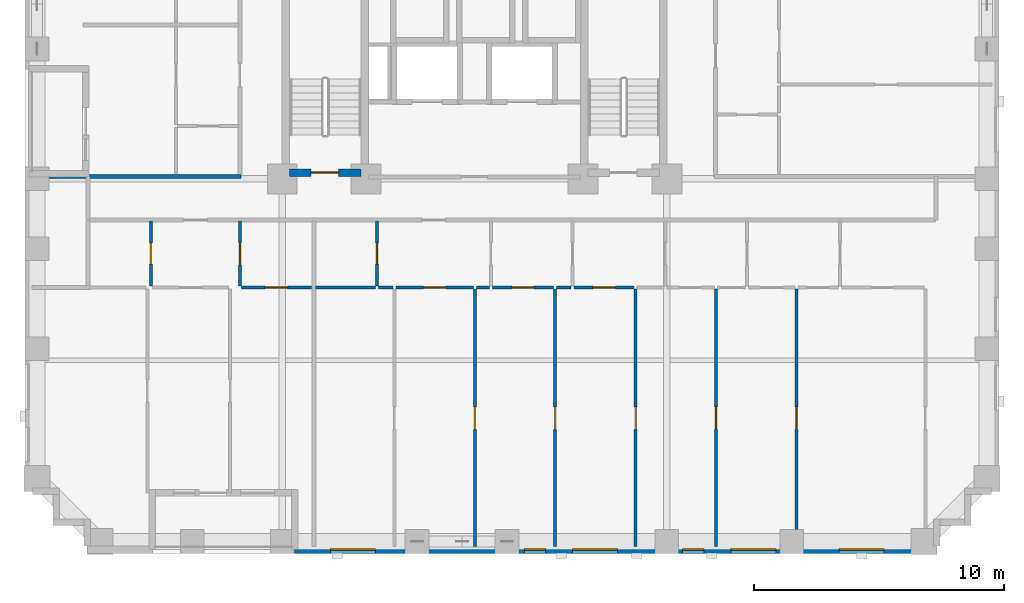
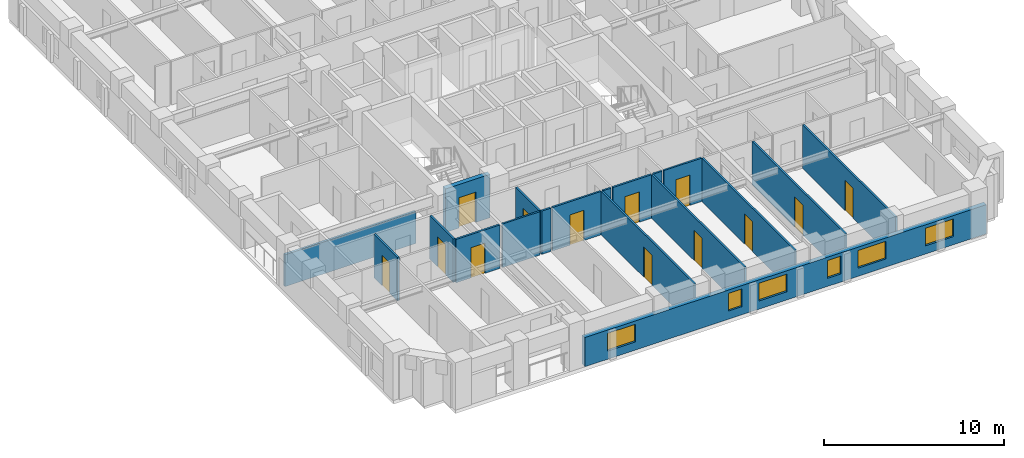
# One storey, part 3 of 14: 19 walls, 13 doors, 6 windows, 19 openings.
"""IFC4 building model written with IfcOpenShell, lengths in metres."""

from ifc_helpers import new_model, si_unit, derived_unit, direction, frame, frame_2d, origin, place, context, subcontext, project, spatial, rectangle, extrude, material, layer, layer_set, type_object, element, fill, save


model = new_model("IFC4")

# Units and contexts
model_context = context("Model", 3, precision=1e-05, world=origin(), true_north=direction((0.0, 1.0)))
body_context = subcontext(model_context, "Body", "Model", "MODEL_VIEW")
ifc_project = project(units=[si_unit("LENGTHUNIT", "METRE"), si_unit("AREAUNIT", "SQUARE_METRE"), si_unit("VOLUMEUNIT", "CUBIC_METRE"), si_unit("PLANEANGLEUNIT", "RADIAN"), si_unit("MASSUNIT", "GRAM", prefix="KILO"), derived_unit("THERMALTRANSMITTANCEUNIT", [(si_unit("MASSUNIT", "GRAM", prefix="KILO"), 1), (si_unit("TIMEUNIT", "SECOND"), -3), (si_unit("THERMODYNAMICTEMPERATUREUNIT", "KELVIN"), -1)])], contexts=[model_context])

# Site, building, storey
site_placement = place(None, origin())
site = spatial("IfcSite", under=ifc_project, at=site_placement, CompositionType="ELEMENT")
building_placement = place(site_placement, origin())
building = spatial("IfcBuilding", under=site, at=building_placement, Name="Korrvale Station Residences", CompositionType="ELEMENT")
storey_placement = place(building_placement, frame((0.0, 0.0, 45.0)))
storey = spatial("IfcBuildingStorey", under=building, at=storey_placement, Name="L11", CompositionType="ELEMENT", Elevation=45.0)

# Wall, opening, door
ifc_material_1 = material(Name="Concrete C70/85", Category="concrete")
ifc_layer_1 = layer(ifc_material_1, 0.300048828125, Name="Concrete C70/85")
ifc_layer_set_1 = layer_set([ifc_layer_1], Name="Concrete C70/85")
wall_type_1 = type_object("IfcWallType", Name="WAL-CORE-300-C70", PredefinedType="SHEAR", material=ifc_layer_set_1)
wall_1_placement = place(storey_placement, frame((18.10009765625, 15.25, 0.0), z_axis=(0.0, 0.0, 1.0), x_axis=(1.0, 0.0, 0.0)))
wall_1 = element("IfcWall", 1, at=wall_1_placement, inside=storey, type_object=wall_type_1, Name="L11 ST-1 Core Shear Wall South", PredefinedType="SHEAR", context=body_context, shape_type="SweptSolid", body=[
    extrude(rectangle(XDim=2.849853515625, YDim=0.300048828125, at=frame_2d((1.4248046875, 0.0))), origin(), (0.0, 0.0, 1.0), 2.93994140625),
])
opening_1_placement = place(wall_1_placement, frame((0.860107421875, 0.0, 0.0)))
opening_1 = element("IfcOpeningElement", 2, at=opening_1_placement, cuts=wall_1, Name="Opening SD-1100", PredefinedType="OPENING", context=body_context, shape_type="SweptSolid", body=[
    extrude(rectangle(XDim=1.10009765625, YDim=2.050048828125, at=frame_2d((0.550048828125, 1.02490234375))), frame((0.0, 0.16015625, 0.0), z_axis=(0.0, -1.0, 0.0), x_axis=(1.0, 0.0, 0.0)), (0.0, 0.0, 1.0), 0.320068359375),
])
ifc_material_2 = material(Name="Hollow-metal fire-rated stair door with closer", Category="steel")
door_type_1 = type_object("IfcDoorType", Name="DR-STAIR-1100", OperationType="NOTDEFINED", PredefinedType="DOOR", material=ifc_material_2)
door_1_placement = place(opening_1_placement, origin())
door_1 = element("IfcDoor", 3, at=door_1_placement, inside=storey, type_object=door_type_1, Name="L11 ST-1 Exit Stair Door", OperationType="SINGLE_SWING_LEFT", OverallHeight=2.050048828125, OverallWidth=1.10009765625, PredefinedType="DOOR", context=body_context, shape_type="SweptSolid", body=[
    extrude(rectangle(XDim=1.10009765625, YDim=2.050048828125, at=frame_2d((0.550048828125, 1.02490234375))), frame((0.0, 0.02490234375, 0.0), z_axis=(0.0, -1.0, 0.0), x_axis=(1.0, 0.0, 0.0)), (0.0, 0.0, 1.0), 0.050048828125),
])
fill(opening_1, door_1)

# Wall, openings, windows
ifc_material_3 = material(Name="Precast concrete C45/55", Category="concrete")
ifc_layer_2 = layer(ifc_material_3, 0.300048828125, Name="Precast concrete C45/55")
ifc_layer_set_2 = layer_set([ifc_layer_2], Name="Precast concrete C45/55")
wall_type_2 = type_object("IfcWallType", Name="WAL-EXT-PC300", PredefinedType="SOLIDWALL", material=ifc_layer_set_2)
wall_2_placement = place(storey_placement, frame((44.0, 0.14990234375, 0.0), z_axis=(0.0, 0.0, 1.0), x_axis=(-1.0, 0.0, 0.0)))
wall_2 = element("IfcWall", 4, at=wall_2_placement, inside=storey, type_object=wall_type_2, Name="L11 South Exterior Precast Wall 1", PredefinedType="SOLIDWALL", context=body_context, shape_type="SweptSolid", body=[
    extrude(rectangle(XDim=25.699951171875, YDim=0.300048828125, at=frame_2d((12.85009765625, 0.0))), origin(), (0.0, 0.0, 1.0), 1.97509765625),
])
opening_2_placement = place(wall_2_placement, frame((22.470947265625, 0.0, 0.550048828125)))
opening_2 = element("IfcOpeningElement", 5, at=opening_2_placement, cuts=wall_2, Name="Opening W-09", PredefinedType="OPENING", context=body_context, shape_type="SweptSolid", body=[
    extrude(rectangle(XDim=1.800048828125, YDim=1.199951171875, at=frame_2d((0.89990234375, 0.60009765625))), frame((0.0, 0.16015625, 0.0), z_axis=(0.0, -1.0, 0.0), x_axis=(1.0, 0.0, 0.0)), (0.0, 0.0, 1.0), 0.320068359375),
])
opening_3_placement = place(wall_2_placement, frame((15.64990234375, 0.0, 0.550048828125)))
opening_3 = element("IfcOpeningElement", 6, at=opening_3_placement, cuts=wall_2, Name="Opening W-11", PredefinedType="OPENING", context=body_context, shape_type="SweptSolid", body=[
    extrude(rectangle(XDim=0.85009765625, YDim=1.199951171875, at=frame_2d((0.425048828125, 0.60009765625))), frame((0.0, 0.16015625, 0.0), z_axis=(0.0, -1.0, 0.0), x_axis=(1.0, 0.0, 0.0)), (0.0, 0.0, 1.0), 0.320068359375),
])
opening_4_placement = place(wall_2_placement, frame((12.777099609375, 0.0, 0.550048828125)))
opening_4 = element("IfcOpeningElement", 7, at=opening_4_placement, cuts=wall_2, Name="Opening W-09", PredefinedType="OPENING", context=body_context, shape_type="SweptSolid", body=[
    extrude(rectangle(XDim=1.800048828125, YDim=1.199951171875, at=frame_2d((0.89990234375, 0.60009765625))), frame((0.0, 0.16015625, 0.0), z_axis=(0.0, -1.0, 0.0), x_axis=(1.0, 0.0, 0.0)), (0.0, 0.0, 1.0), 0.320068359375),
])
opening_5_placement = place(wall_2_placement, frame((9.31494140625, 0.0, 0.550048828125)))
opening_5 = element("IfcOpeningElement", 8, at=opening_5_placement, cuts=wall_2, Name="Opening W-11", PredefinedType="OPENING", context=body_context, shape_type="SweptSolid", body=[
    extrude(rectangle(XDim=0.85009765625, YDim=1.199951171875, at=frame_2d((0.425048828125, 0.60009765625))), frame((0.0, 0.16015625, 0.0), z_axis=(0.0, -1.0, 0.0), x_axis=(1.0, 0.0, 0.0)), (0.0, 0.0, 1.0), 0.320068359375),
])
opening_6_placement = place(wall_2_placement, frame((6.43505859375, 0.0, 0.550048828125)))
opening_6 = element("IfcOpeningElement", 9, at=opening_6_placement, cuts=wall_2, Name="Opening W-09", PredefinedType="OPENING", context=body_context, shape_type="SweptSolid", body=[
    extrude(rectangle(XDim=1.800048828125, YDim=1.199951171875, at=frame_2d((0.89990234375, 0.60009765625))), frame((0.0, 0.16015625, 0.0), z_axis=(0.0, -1.0, 0.0), x_axis=(1.0, 0.0, 0.0)), (0.0, 0.0, 1.0), 0.320068359375),
])
opening_7_placement = place(wall_2_placement, frame((2.10595703125, 0.0, 0.550048828125)))
opening_7 = element("IfcOpeningElement", 10, at=opening_7_placement, cuts=wall_2, Name="Opening W-09", PredefinedType="OPENING", context=body_context, shape_type="SweptSolid", body=[
    extrude(rectangle(XDim=1.800048828125, YDim=1.199951171875, at=frame_2d((0.89990234375, 0.60009765625))), frame((0.0, 0.16015625, 0.0), z_axis=(0.0, -1.0, 0.0), x_axis=(1.0, 0.0, 0.0)), (0.0, 0.0, 1.0), 0.320068359375),
])
ifc_material_4 = material(Name="Thermally broken aluminium frame with triple low-e glazing", Category="aluminium")
window_type_1 = type_object("IfcWindowType", Name="WIN-W09", PartitioningType="DOUBLE_PANEL_VERTICAL", PredefinedType="WINDOW", material=ifc_material_4)
window_1_placement = place(opening_2_placement, origin())
window_1 = element("IfcWindow", 11, at=window_1_placement, inside=storey, type_object=window_type_1, Name="L11 Punched Window 05", OverallHeight=1.199951171875, OverallWidth=1.800048828125, PartitioningType="DOUBLE_PANEL_VERTICAL", PredefinedType="WINDOW", context=body_context, shape_type="SweptSolid", body=[
    extrude(rectangle(XDim=1.800048828125, YDim=1.199951171875, at=frame_2d((0.89990234375, 0.60009765625))), frame((0.0, 0.030029296875, 0.0), z_axis=(0.0, -1.0, 0.0), x_axis=(1.0, 0.0, 0.0)), (0.0, 0.0, 1.0), 0.06005859375),
])
fill(opening_2, window_1)
window_2_placement = place(opening_4_placement, origin())
window_2 = element("IfcWindow", 12, at=window_2_placement, inside=storey, type_object=window_type_1, Name="L11 Punched Window 07", OverallHeight=1.199951171875, OverallWidth=1.800048828125, PartitioningType="DOUBLE_PANEL_VERTICAL", PredefinedType="WINDOW", context=body_context, shape_type="SweptSolid", body=[
    extrude(rectangle(XDim=1.800048828125, YDim=1.199951171875, at=frame_2d((0.89990234375, 0.60009765625))), frame((0.0, 0.030029296875, 0.0), z_axis=(0.0, -1.0, 0.0), x_axis=(1.0, 0.0, 0.0)), (0.0, 0.0, 1.0), 0.06005859375),
])
fill(opening_4, window_2)
window_3_placement = place(opening_6_placement, origin())
window_3 = element("IfcWindow", 13, at=window_3_placement, inside=storey, type_object=window_type_1, Name="L11 Punched Window 09", OverallHeight=1.199951171875, OverallWidth=1.800048828125, PartitioningType="DOUBLE_PANEL_VERTICAL", PredefinedType="WINDOW", context=body_context, shape_type="SweptSolid", body=[
    extrude(rectangle(XDim=1.800048828125, YDim=1.199951171875, at=frame_2d((0.89990234375, 0.60009765625))), frame((0.0, 0.030029296875, 0.0), z_axis=(0.0, -1.0, 0.0), x_axis=(1.0, 0.0, 0.0)), (0.0, 0.0, 1.0), 0.06005859375),
])
fill(opening_6, window_3)
window_4_placement = place(opening_7_placement, origin())
window_4 = element("IfcWindow", 14, at=window_4_placement, inside=storey, type_object=window_type_1, Name="L11 Punched Window 10", OverallHeight=1.199951171875, OverallWidth=1.800048828125, PartitioningType="DOUBLE_PANEL_VERTICAL", PredefinedType="WINDOW", context=body_context, shape_type="SweptSolid", body=[
    extrude(rectangle(XDim=1.800048828125, YDim=1.199951171875, at=frame_2d((0.89990234375, 0.60009765625))), frame((0.0, 0.030029296875, 0.0), z_axis=(0.0, -1.0, 0.0), x_axis=(1.0, 0.0, 0.0)), (0.0, 0.0, 1.0), 0.06005859375),
])
fill(opening_7, window_4)
window_type_2 = type_object("IfcWindowType", Name="WIN-W11", PartitioningType="SINGLE_PANEL", PredefinedType="WINDOW", material=ifc_material_4)
window_5_placement = place(opening_3_placement, origin())
window_5 = element("IfcWindow", 15, at=window_5_placement, inside=storey, type_object=window_type_2, Name="L11 Punched Window 06", OverallHeight=1.199951171875, OverallWidth=0.85009765625, PartitioningType="SINGLE_PANEL", PredefinedType="WINDOW", context=body_context, shape_type="SweptSolid", body=[
    extrude(rectangle(XDim=0.85009765625, YDim=1.199951171875, at=frame_2d((0.425048828125, 0.60009765625))), frame((0.0, 0.030029296875, 0.0), z_axis=(0.0, -1.0, 0.0), x_axis=(1.0, 0.0, 0.0)), (0.0, 0.0, 1.0), 0.06005859375),
])
fill(opening_3, window_5)
window_6_placement = place(opening_5_placement, origin())
window_6 = element("IfcWindow", 16, at=window_6_placement, inside=storey, type_object=window_type_2, Name="L11 Punched Window 08", OverallHeight=1.199951171875, OverallWidth=0.85009765625, PartitioningType="SINGLE_PANEL", PredefinedType="WINDOW", context=body_context, shape_type="SweptSolid", body=[
    extrude(rectangle(XDim=0.85009765625, YDim=1.199951171875, at=frame_2d((0.425048828125, 0.60009765625))), frame((0.0, 0.030029296875, 0.0), z_axis=(0.0, -1.0, 0.0), x_axis=(1.0, 0.0, 0.0)), (0.0, 0.0, 1.0), 0.06005859375),
])
fill(opening_5, window_6)

# Wall, opening, door
ifc_material_5 = material(Name="Acoustic steel-stud gypsum board partition", Category="steel")
ifc_layer_3 = layer(ifc_material_5, 0.1201171875, Name="Acoustic steel-stud gypsum board partition")
ifc_layer_set_3 = layer_set([ifc_layer_3], Name="Acoustic steel-stud gypsum board partition")
wall_type_3 = type_object("IfcWallType", Name="WAL-PART-125", PredefinedType="PARTITIONING", material=ifc_layer_set_3)
wall_3_placement = place(storey_placement, frame((12.5400390625, 10.7099609375, 0.0), z_axis=(0.0, 0.0, 1.0), x_axis=(0.0, 1.0, 0.0)))
wall_3 = element("IfcWall", 17, at=wall_3_placement, inside=storey, type_object=wall_type_3, Name="L11 Suite Partition U01-V01", PredefinedType="PARTITIONING", context=body_context, shape_type="SweptSolid", body=[
    extrude(rectangle(XDim=2.60009765625, YDim=0.1201171875, at=frame_2d((1.300048828125, 0.0))), origin(), (0.0, 0.0, 1.0), 2.93994140625),
])
opening_8_placement = place(wall_3_placement, frame((0.8701171875, 0.0, 0.0)))
opening_8 = element("IfcOpeningElement", 18, at=opening_8_placement, cuts=wall_3, Name="Opening DB-860", PredefinedType="OPENING", context=body_context, shape_type="SweptSolid", body=[
    extrude(rectangle(XDim=0.860107421875, YDim=2.050048828125, at=frame_2d((0.43017578125, 1.02490234375))), frame((0.0, 0.070068359375, 0.0), z_axis=(0.0, -1.0, 0.0), x_axis=(1.0, 0.0, 0.0)), (0.0, 0.0, 1.0), 0.14013671875),
])
ifc_material_6 = material(Name="Moisture-resistant solid-core bathroom door", Category="timber")
door_type_2 = type_object("IfcDoorType", Name="DR-BATH-860", OperationType="NOTDEFINED", PredefinedType="DOOR", material=ifc_material_6)
door_2_placement = place(opening_8_placement, origin())
door_2 = element("IfcDoor", 19, at=door_2_placement, inside=storey, type_object=door_type_2, Name="L11 Apartment 2BR L11-U01 Bathroom Door", OperationType="SINGLE_SWING_LEFT", OverallHeight=2.050048828125, OverallWidth=0.860107421875, PredefinedType="DOOR", context=body_context, shape_type="SweptSolid", body=[
    extrude(rectangle(XDim=0.860107421875, YDim=2.050048828125, at=frame_2d((0.43017578125, 1.02490234375))), frame((0.0, 0.02490234375, 0.0), z_axis=(0.0, -1.0, 0.0), x_axis=(1.0, 0.0, 0.0)), (0.0, 0.0, 1.0), 0.050048828125),
])
fill(opening_8, door_2)

wall_4_placement = place(storey_placement, frame((16.110107421875, 10.7099609375, 0.0), z_axis=(0.0, 0.0, 1.0), x_axis=(0.0, 1.0, 0.0)))
wall_4 = element("IfcWall", 20, at=wall_4_placement, inside=storey, type_object=wall_type_3, Name="L11 Suite Partition U01-V12", PredefinedType="PARTITIONING", context=body_context, shape_type="SweptSolid", body=[
    extrude(rectangle(XDim=2.60009765625, YDim=0.1201171875, at=frame_2d((1.300048828125, 0.0))), origin(), (0.0, 0.0, 1.0), 2.93994140625),
])
opening_9_placement = place(wall_4_placement, frame((0.85009765625, 0.0, 0.0)))
opening_9 = element("IfcOpeningElement", 21, at=opening_9_placement, cuts=wall_4, Name="Opening DI-900", PredefinedType="OPENING", context=body_context, shape_type="SweptSolid", body=[
    extrude(rectangle(XDim=0.89990234375, YDim=2.050048828125, at=frame_2d((0.449951171875, 1.02490234375))), frame((0.0, 0.070068359375, 0.0), z_axis=(0.0, -1.0, 0.0), x_axis=(1.0, 0.0, 0.0)), (0.0, 0.0, 1.0), 0.14013671875),
])
ifc_material_7 = material(Name="Painted solid-core timber interior room door", Category="wood")
door_type_3 = type_object("IfcDoorType", Name="DR-INT-900", OperationType="NOTDEFINED", PredefinedType="DOOR", material=ifc_material_7)
door_3_placement = place(opening_9_placement, origin())
door_3 = element("IfcDoor", 22, at=door_3_placement, inside=storey, type_object=door_type_3, Name="L11 Apartment 2BR L11-U01 Kitchen Door", OperationType="SINGLE_SWING_RIGHT", OverallHeight=2.050048828125, OverallWidth=0.89990234375, PredefinedType="DOOR", context=body_context, shape_type="SweptSolid", body=[
    extrude(rectangle(XDim=0.89990234375, YDim=2.050048828125, at=frame_2d((0.449951171875, 1.02490234375))), frame((0.0, 0.02490234375, 0.0), z_axis=(0.0, -1.0, 0.0), x_axis=(1.0, 0.0, 0.0)), (0.0, 0.0, 1.0), 0.050048828125),
])
fill(opening_9, door_3)

wall_5_placement = place(storey_placement, frame((16.169921875, 10.64990234375, 0.0), z_axis=(0.0, 0.0, 1.0), x_axis=(1.0, 0.0, 0.0)))
wall_5 = element("IfcWall", 23, at=wall_5_placement, inside=storey, type_object=wall_type_3, Name="L11 Suite Partition U01-H25", PredefinedType="PARTITIONING", context=body_context, shape_type="SweptSolid", body=[
    extrude(rectangle(XDim=2.800048828125, YDim=0.1201171875, at=frame_2d((1.39990234375, 0.0))), origin(), (0.0, 0.0, 1.0), 2.93994140625),
])
opening_10_placement = place(wall_5_placement, frame((0.949951171875, 0.0, 0.0)))
opening_10 = element("IfcOpeningElement", 24, at=opening_10_placement, cuts=wall_5, Name="Opening DI-900", PredefinedType="OPENING", context=body_context, shape_type="SweptSolid", body=[
    extrude(rectangle(XDim=0.89990234375, YDim=2.050048828125, at=frame_2d((0.449951171875, 1.02490234375))), frame((0.0, 0.070068359375, 0.0), z_axis=(0.0, -1.0, 0.0), x_axis=(1.0, 0.0, 0.0)), (0.0, 0.0, 1.0), 0.14013671875),
])
door_4_placement = place(opening_10_placement, origin())
door_4 = element("IfcDoor", 25, at=door_4_placement, inside=storey, type_object=door_type_3, Name="L11 Apartment 2BR L11-U01 Utility and Laundry Room Door", OperationType="SINGLE_SWING_RIGHT", OverallHeight=2.050048828125, OverallWidth=0.89990234375, PredefinedType="DOOR", context=body_context, shape_type="SweptSolid", body=[
    extrude(rectangle(XDim=0.89990234375, YDim=2.050048828125, at=frame_2d((0.449951171875, 1.02490234375))), frame((0.0, 0.02490234375, 0.0), z_axis=(0.0, -1.0, 0.0), x_axis=(1.0, 0.0, 0.0)), (0.0, 0.0, 1.0), 0.050048828125),
])
fill(opening_10, door_4)

wall_6_placement = place(storey_placement, frame((21.590087890625, 10.7099609375, 0.0), z_axis=(0.0, 0.0, 1.0), x_axis=(0.0, 1.0, 0.0)))
wall_6 = element("IfcWall", 26, at=wall_6_placement, inside=storey, type_object=wall_type_3, Name="L11 Suite Partition U02-V01", PredefinedType="PARTITIONING", context=body_context, shape_type="SweptSolid", body=[
    extrude(rectangle(XDim=2.60009765625, YDim=0.1201171875, at=frame_2d((1.300048828125, 0.0))), origin(), (0.0, 0.0, 1.0), 2.93994140625),
])
opening_11_placement = place(wall_6_placement, frame((0.8701171875, 0.0, 0.0)))
opening_11 = element("IfcOpeningElement", 27, at=opening_11_placement, cuts=wall_6, Name="Opening DB-860", PredefinedType="OPENING", context=body_context, shape_type="SweptSolid", body=[
    extrude(rectangle(XDim=0.860107421875, YDim=2.050048828125, at=frame_2d((0.43017578125, 1.02490234375))), frame((0.0, 0.070068359375, 0.0), z_axis=(0.0, -1.0, 0.0), x_axis=(1.0, 0.0, 0.0)), (0.0, 0.0, 1.0), 0.14013671875),
])
door_5_placement = place(opening_11_placement, origin())
door_5 = element("IfcDoor", 28, at=door_5_placement, inside=storey, type_object=door_type_2, Name="L11 Studio Apartment L11-U02 Bathroom Door", OperationType="SINGLE_SWING_LEFT", OverallHeight=2.050048828125, OverallWidth=0.860107421875, PredefinedType="DOOR", context=body_context, shape_type="SweptSolid", body=[
    extrude(rectangle(XDim=0.860107421875, YDim=2.050048828125, at=frame_2d((0.43017578125, 1.02490234375))), frame((0.0, 0.02490234375, 0.0), z_axis=(0.0, -1.0, 0.0), x_axis=(1.0, 0.0, 0.0)), (0.0, 0.0, 1.0), 0.050048828125),
])
fill(opening_11, door_5)

# Walls
wall_7_placement = place(storey_placement, frame((19.1298828125, 10.64990234375, 0.0), z_axis=(0.0, 0.0, 1.0), x_axis=(1.0, 0.0, 0.0)))
element("IfcWall", 29, at=wall_7_placement, inside=storey, type_object=wall_type_3, Name="L11 Suite Partition U02-H07", PredefinedType="PARTITIONING", context=body_context, shape_type="SweptSolid", body=[
    extrude(rectangle(XDim=2.400146484375, YDim=0.1201171875, at=frame_2d((1.2001953125, 0.0))), origin(), (0.0, 0.0, 1.0), 2.93994140625),
])
wall_8_placement = place(storey_placement, frame((21.64990234375, 10.64990234375, 0.0), z_axis=(0.0, 0.0, 1.0), x_axis=(1.0, 0.0, 0.0)))
element("IfcWall", 30, at=wall_8_placement, inside=storey, type_object=wall_type_3, Name="L11 Suite Partition U02-H17", PredefinedType="PARTITIONING", context=body_context, shape_type="SweptSolid", body=[
    extrude(rectangle(XDim=0.580078125, YDim=0.1201171875, at=frame_2d((0.2900390625, 0.0))), origin(), (0.0, 0.0, 1.0), 2.93994140625),
])

# Wall, opening, door
wall_9_placement = place(storey_placement, frame((22.35009765625, 10.64990234375, 0.0), z_axis=(0.0, 0.0, 1.0), x_axis=(1.0, 0.0, 0.0)))
wall_9 = element("IfcWall", 31, at=wall_9_placement, inside=storey, type_object=wall_type_3, Name="L11 Suite Partition U02-H18", PredefinedType="PARTITIONING", context=body_context, shape_type="SweptSolid", body=[
    extrude(rectangle(XDim=3.099853515625, YDim=0.1201171875, at=frame_2d((1.5498046875, 0.0))), origin(), (0.0, 0.0, 1.0), 2.93994140625),
])
opening_12_placement = place(wall_9_placement, frame((1.10009765625, 0.0, 0.0)))
opening_12 = element("IfcOpeningElement", 32, at=opening_12_placement, cuts=wall_9, Name="Opening DI-900", PredefinedType="OPENING", context=body_context, shape_type="SweptSolid", body=[
    extrude(rectangle(XDim=0.89990234375, YDim=2.050048828125, at=frame_2d((0.449951171875, 1.02490234375))), frame((0.0, 0.070068359375, 0.0), z_axis=(0.0, -1.0, 0.0), x_axis=(1.0, 0.0, 0.0)), (0.0, 0.0, 1.0), 0.14013671875),
])
door_6_placement = place(opening_12_placement, origin())
door_6 = element("IfcDoor", 33, at=door_6_placement, inside=storey, type_object=door_type_3, Name="L11 Studio Apartment L11-U02 Kitchen Door", OperationType="SINGLE_SWING_LEFT", OverallHeight=2.050048828125, OverallWidth=0.89990234375, PredefinedType="DOOR", context=body_context, shape_type="SweptSolid", body=[
    extrude(rectangle(XDim=0.89990234375, YDim=2.050048828125, at=frame_2d((0.449951171875, 1.02490234375))), frame((0.0, 0.02490234375, 0.0), z_axis=(0.0, -1.0, 0.0), x_axis=(1.0, 0.0, 0.0)), (0.0, 0.0, 1.0), 0.050048828125),
])
fill(opening_12, door_6)

# Wall
wall_10_placement = place(storey_placement, frame((25.570068359375, 10.64990234375, 0.0), z_axis=(0.0, 0.0, 1.0), x_axis=(1.0, 0.0, 0.0)))
element("IfcWall", 34, at=wall_10_placement, inside=storey, type_object=wall_type_3, Name="L11 Suite Partition U02-H19", PredefinedType="PARTITIONING", context=body_context, shape_type="SweptSolid", body=[
    extrude(rectangle(XDim=0.52001953125, YDim=0.1201171875, at=frame_2d((0.260009765625, 0.0))), origin(), (0.0, 0.0, 1.0), 2.93994140625),
])

# Wall, opening, door
wall_11_placement = place(storey_placement, frame((26.2099609375, 10.64990234375, 0.0), z_axis=(0.0, 0.0, 1.0), x_axis=(1.0, 0.0, 0.0)))
wall_11 = element("IfcWall", 35, at=wall_11_placement, inside=storey, type_object=wall_type_3, Name="L11 Suite Partition U02-H29", PredefinedType="PARTITIONING", context=body_context, shape_type="SweptSolid", body=[
    extrude(rectangle(XDim=2.4599609375, YDim=0.1201171875, at=frame_2d((1.22998046875, 0.0))), origin(), (0.0, 0.0, 1.0), 2.93994140625),
])
opening_13_placement = place(wall_11_placement, frame((0.780029296875, 0.0, 0.0)))
opening_13 = element("IfcOpeningElement", 36, at=opening_13_placement, cuts=wall_11, Name="Opening DI-900", PredefinedType="OPENING", context=body_context, shape_type="SweptSolid", body=[
    extrude(rectangle(XDim=0.89990234375, YDim=2.050048828125, at=frame_2d((0.449951171875, 1.02490234375))), frame((0.0, 0.070068359375, 0.0), z_axis=(0.0, -1.0, 0.0), x_axis=(1.0, 0.0, 0.0)), (0.0, 0.0, 1.0), 0.14013671875),
])
door_7_placement = place(opening_13_placement, origin())
door_7 = element("IfcDoor", 37, at=door_7_placement, inside=storey, type_object=door_type_3, Name="L11 Studio Apartment L11-U02 Utility and Laundry Room Door", OperationType="SINGLE_SWING_LEFT", OverallHeight=2.050048828125, OverallWidth=0.89990234375, PredefinedType="DOOR", context=body_context, shape_type="SweptSolid", body=[
    extrude(rectangle(XDim=0.89990234375, YDim=2.050048828125, at=frame_2d((0.449951171875, 1.02490234375))), frame((0.0, 0.02490234375, 0.0), z_axis=(0.0, -1.0, 0.0), x_axis=(1.0, 0.0, 0.0)), (0.0, 0.0, 1.0), 0.050048828125),
])
fill(opening_13, door_7)

# Wall
wall_12_placement = place(storey_placement, frame((28.7900390625, 10.64990234375, 0.0), z_axis=(0.0, 0.0, 1.0), x_axis=(1.0, 0.0, 0.0)))
element("IfcWall", 38, at=wall_12_placement, inside=storey, type_object=wall_type_3, Name="L11 Suite Partition U02-H210", PredefinedType="PARTITIONING", context=body_context, shape_type="SweptSolid", body=[
    extrude(rectangle(XDim=0.570068359375, YDim=0.1201171875, at=frame_2d((0.28515625, 0.0))), origin(), (0.0, 0.0, 1.0), 2.93994140625),
])

# Wall, opening, door
wall_13_placement = place(storey_placement, frame((29.47998046875, 10.64990234375, 0.0), z_axis=(0.0, 0.0, 1.0), x_axis=(1.0, 0.0, 0.0)))
wall_13 = element("IfcWall", 39, at=wall_13_placement, inside=storey, type_object=wall_type_3, Name="L11 Suite Partition U02-H310", PredefinedType="PARTITIONING", context=body_context, shape_type="SweptSolid", body=[
    extrude(rectangle(XDim=2.409912109375, YDim=0.1201171875, at=frame_2d((1.205078125, 0.0))), origin(), (0.0, 0.0, 1.0), 2.93994140625),
])
opening_14_placement = place(wall_13_placement, frame((0.7548828125, 0.0, 0.0)))
opening_14 = element("IfcOpeningElement", 40, at=opening_14_placement, cuts=wall_13, Name="Opening DI-900", PredefinedType="OPENING", context=body_context, shape_type="SweptSolid", body=[
    extrude(rectangle(XDim=0.89990234375, YDim=2.050048828125, at=frame_2d((0.449951171875, 1.02490234375))), frame((0.0, 0.070068359375, 0.0), z_axis=(0.0, -1.0, 0.0), x_axis=(1.0, 0.0, 0.0)), (0.0, 0.0, 1.0), 0.14013671875),
])
door_8_placement = place(opening_14_placement, origin())
door_8 = element("IfcDoor", 41, at=door_8_placement, inside=storey, type_object=door_type_3, Name="L11 Studio Apartment L11-U02 Storage Closet 2 Door", OperationType="SINGLE_SWING_LEFT", OverallHeight=2.050048828125, OverallWidth=0.89990234375, PredefinedType="DOOR", context=body_context, shape_type="SweptSolid", body=[
    extrude(rectangle(XDim=0.89990234375, YDim=2.050048828125, at=frame_2d((0.449951171875, 1.02490234375))), frame((0.0, 0.02490234375, 0.0), z_axis=(0.0, -1.0, 0.0), x_axis=(1.0, 0.0, 0.0)), (0.0, 0.0, 1.0), 0.050048828125),
])
fill(opening_14, door_8)

wall_14_placement = place(storey_placement, frame((25.510009765625, 0.280029296875, 0.0), z_axis=(0.0, 0.0, 1.0), x_axis=(0.0, 1.0, 0.0)))
wall_14 = element("IfcWall", 42, at=wall_14_placement, inside=storey, type_object=wall_type_3, Name="L11 Suite Partition U02-V89", PredefinedType="PARTITIONING", context=body_context, shape_type="SweptSolid", body=[
    extrude(rectangle(XDim=10.31005859375, YDim=0.1201171875, at=frame_2d((5.155029296875, 0.0))), origin(), (0.0, 0.0, 1.0), 2.93994140625),
])
opening_15_placement = place(wall_14_placement, frame((4.68994140625, 0.0, 0.0)))
opening_15 = element("IfcOpeningElement", 43, at=opening_15_placement, cuts=wall_14, Name="Opening DI-900", PredefinedType="OPENING", context=body_context, shape_type="SweptSolid", body=[
    extrude(rectangle(XDim=0.89990234375, YDim=2.050048828125, at=frame_2d((0.449951171875, 1.02490234375))), frame((0.0, 0.070068359375, 0.0), z_axis=(0.0, -1.0, 0.0), x_axis=(1.0, 0.0, 0.0)), (0.0, 0.0, 1.0), 0.14013671875),
])
door_9_placement = place(opening_15_placement, origin())
door_9 = element("IfcDoor", 44, at=door_9_placement, inside=storey, type_object=door_type_3, Name="L11 Studio Apartment L11-U02 Walk-In Wardrobe Door", OperationType="SINGLE_SWING_RIGHT", OverallHeight=2.050048828125, OverallWidth=0.89990234375, PredefinedType="DOOR", context=body_context, shape_type="SweptSolid", body=[
    extrude(rectangle(XDim=0.89990234375, YDim=2.050048828125, at=frame_2d((0.449951171875, 1.02490234375))), frame((0.0, 0.02490234375, 0.0), z_axis=(0.0, -1.0, 0.0), x_axis=(1.0, 0.0, 0.0)), (0.0, 0.0, 1.0), 0.050048828125),
])
fill(opening_15, door_9)

wall_15_placement = place(storey_placement, frame((28.72998046875, 0.280029296875, 0.0), z_axis=(0.0, 0.0, 1.0), x_axis=(0.0, 1.0, 0.0)))
wall_15 = element("IfcWall", 45, at=wall_15_placement, inside=storey, type_object=wall_type_3, Name="L11 Suite Partition U02-V910", PredefinedType="PARTITIONING", context=body_context, shape_type="SweptSolid", body=[
    extrude(rectangle(XDim=10.31005859375, YDim=0.1201171875, at=frame_2d((5.155029296875, 0.0))), origin(), (0.0, 0.0, 1.0), 2.93994140625),
])
opening_16_placement = place(wall_15_placement, frame((4.68994140625, 0.0, 0.0)))
opening_16 = element("IfcOpeningElement", 46, at=opening_16_placement, cuts=wall_15, Name="Opening DI-900", PredefinedType="OPENING", context=body_context, shape_type="SweptSolid", body=[
    extrude(rectangle(XDim=0.89990234375, YDim=2.050048828125, at=frame_2d((0.449951171875, 1.02490234375))), frame((0.0, 0.070068359375, 0.0), z_axis=(0.0, -1.0, 0.0), x_axis=(1.0, 0.0, 0.0)), (0.0, 0.0, 1.0), 0.14013671875),
])
door_10_placement = place(opening_16_placement, origin())
door_10 = element("IfcDoor", 47, at=door_10_placement, inside=storey, type_object=door_type_3, Name="L11 Studio Apartment L11-U02 Formal Dining Room Door", OperationType="SINGLE_SWING_LEFT", OverallHeight=2.050048828125, OverallWidth=0.89990234375, PredefinedType="DOOR", context=body_context, shape_type="SweptSolid", body=[
    extrude(rectangle(XDim=0.89990234375, YDim=2.050048828125, at=frame_2d((0.449951171875, 1.02490234375))), frame((0.0, 0.02490234375, 0.0), z_axis=(0.0, -1.0, 0.0), x_axis=(1.0, 0.0, 0.0)), (0.0, 0.0, 1.0), 0.050048828125),
])
fill(opening_16, door_10)

wall_16_placement = place(storey_placement, frame((31.949951171875, 0.280029296875, 0.0), z_axis=(0.0, 0.0, 1.0), x_axis=(0.0, 1.0, 0.0)))
wall_16 = element("IfcWall", 48, at=wall_16_placement, inside=storey, type_object=wall_type_3, Name="L11 Suite Partition U02-V1011", PredefinedType="PARTITIONING", context=body_context, shape_type="SweptSolid", body=[
    extrude(rectangle(XDim=10.31005859375, YDim=0.1201171875, at=frame_2d((5.155029296875, 0.0))), origin(), (0.0, 0.0, 1.0), 2.93994140625),
])
opening_17_placement = place(wall_16_placement, frame((4.68994140625, 0.0, 0.0)))
opening_17 = element("IfcOpeningElement", 49, at=opening_17_placement, cuts=wall_16, Name="Opening DI-900", PredefinedType="OPENING", context=body_context, shape_type="SweptSolid", body=[
    extrude(rectangle(XDim=0.89990234375, YDim=2.050048828125, at=frame_2d((0.449951171875, 1.02490234375))), frame((0.0, 0.070068359375, 0.0), z_axis=(0.0, -1.0, 0.0), x_axis=(1.0, 0.0, 0.0)), (0.0, 0.0, 1.0), 0.14013671875),
])
door_11_placement = place(opening_17_placement, origin())
door_11 = element("IfcDoor", 50, at=door_11_placement, inside=storey, type_object=door_type_3, Name="L11 Studio Apartment L11-U02 Formal Dining Room Door", OperationType="SINGLE_SWING_RIGHT", OverallHeight=2.050048828125, OverallWidth=0.89990234375, PredefinedType="DOOR", context=body_context, shape_type="SweptSolid", body=[
    extrude(rectangle(XDim=0.89990234375, YDim=2.050048828125, at=frame_2d((0.449951171875, 1.02490234375))), frame((0.0, 0.02490234375, 0.0), z_axis=(0.0, -1.0, 0.0), x_axis=(1.0, 0.0, 0.0)), (0.0, 0.0, 1.0), 0.050048828125),
])
fill(opening_17, door_11)

wall_17_placement = place(storey_placement, frame((35.169921875, 0.280029296875, 0.0), z_axis=(0.0, 0.0, 1.0), x_axis=(0.0, 1.0, 0.0)))
wall_17 = element("IfcWall", 51, at=wall_17_placement, inside=storey, type_object=wall_type_3, Name="L11 Suite Partition U02-V1112", PredefinedType="PARTITIONING", context=body_context, shape_type="SweptSolid", body=[
    extrude(rectangle(XDim=10.31005859375, YDim=0.1201171875, at=frame_2d((5.155029296875, 0.0))), origin(), (0.0, 0.0, 1.0), 2.93994140625),
])
opening_18_placement = place(wall_17_placement, frame((4.68994140625, 0.0, 0.0)))
opening_18 = element("IfcOpeningElement", 52, at=opening_18_placement, cuts=wall_17, Name="Opening DI-900", PredefinedType="OPENING", context=body_context, shape_type="SweptSolid", body=[
    extrude(rectangle(XDim=0.89990234375, YDim=2.050048828125, at=frame_2d((0.449951171875, 1.02490234375))), frame((0.0, 0.070068359375, 0.0), z_axis=(0.0, -1.0, 0.0), x_axis=(1.0, 0.0, 0.0)), (0.0, 0.0, 1.0), 0.14013671875),
])
door_12_placement = place(opening_18_placement, origin())
door_12 = element("IfcDoor", 53, at=door_12_placement, inside=storey, type_object=door_type_3, Name="L11 Studio Apartment L11-U02 Formal Dining Room Door", OperationType="SINGLE_SWING_LEFT", OverallHeight=2.050048828125, OverallWidth=0.89990234375, PredefinedType="DOOR", context=body_context, shape_type="SweptSolid", body=[
    extrude(rectangle(XDim=0.89990234375, YDim=2.050048828125, at=frame_2d((0.449951171875, 1.02490234375))), frame((0.0, 0.02490234375, 0.0), z_axis=(0.0, -1.0, 0.0), x_axis=(1.0, 0.0, 0.0)), (0.0, 0.0, 1.0), 0.050048828125),
])
fill(opening_18, door_12)

wall_18_placement = place(storey_placement, frame((38.389892578125, 0.280029296875, 0.0), z_axis=(0.0, 0.0, 1.0), x_axis=(0.0, 1.0, 0.0)))
wall_18 = element("IfcWall", 54, at=wall_18_placement, inside=storey, type_object=wall_type_3, Name="L11 Suite Partition U02-V1213", PredefinedType="PARTITIONING", context=body_context, shape_type="SweptSolid", body=[
    extrude(rectangle(XDim=10.31005859375, YDim=0.1201171875, at=frame_2d((5.155029296875, 0.0))), origin(), (0.0, 0.0, 1.0), 2.93994140625),
])
opening_19_placement = place(wall_18_placement, frame((4.68994140625, 0.0, 0.0)))
opening_19 = element("IfcOpeningElement", 55, at=opening_19_placement, cuts=wall_18, Name="Opening DI-900", PredefinedType="OPENING", context=body_context, shape_type="SweptSolid", body=[
    extrude(rectangle(XDim=0.89990234375, YDim=2.050048828125, at=frame_2d((0.449951171875, 1.02490234375))), frame((0.0, 0.070068359375, 0.0), z_axis=(0.0, -1.0, 0.0), x_axis=(1.0, 0.0, 0.0)), (0.0, 0.0, 1.0), 0.14013671875),
])
door_13_placement = place(opening_19_placement, origin())
door_13 = element("IfcDoor", 56, at=door_13_placement, inside=storey, type_object=door_type_3, Name="L11 Studio Apartment L11-U02 Formal Dining Room Door", OperationType="SINGLE_SWING_RIGHT", OverallHeight=2.050048828125, OverallWidth=0.89990234375, PredefinedType="DOOR", context=body_context, shape_type="SweptSolid", body=[
    extrude(rectangle(XDim=0.89990234375, YDim=2.050048828125, at=frame_2d((0.449951171875, 1.02490234375))), frame((0.0, 0.02490234375, 0.0), z_axis=(0.0, -1.0, 0.0), x_axis=(1.0, 0.0, 0.0)), (0.0, 0.0, 1.0), 0.050048828125),
])
fill(opening_19, door_13)

# Wall
ifc_material_8 = material(Name="Fire-rated twin-stud gypsum and mineral wool shaftwall assembly", Category="gypsum")
ifc_layer_4 = layer(ifc_material_8, 0.159912109375, Name="Fire-rated twin-stud gypsum and mineral wool shaftwall assembly")
ifc_layer_set_4 = layer_set([ifc_layer_4], Name="Fire-rated twin-stud gypsum and mineral wool shaftwall assembly")
wall_type_4 = type_object("IfcWallType", Name="WAL-PART-200", PredefinedType="PARTITIONING", material=ifc_layer_set_4)
wall_19_placement = place(storey_placement, frame((7.780029296875, 15.090087890625, 0.0), z_axis=(0.0, 0.0, 1.0), x_axis=(1.0, 0.0, 0.0)))
element("IfcWall", 57, at=wall_19_placement, inside=storey, type_object=wall_type_4, Name="L11 West Wing South Corridor Wall", PredefinedType="PARTITIONING", context=body_context, shape_type="SweptSolid", body=[
    extrude(rectangle(XDim=8.35986328125, YDim=0.159912109375, at=frame_2d((4.179931640625, 0.0))), origin(), (0.0, 0.0, 1.0), 2.155029296875),
])

save(model, "model.ifc")
